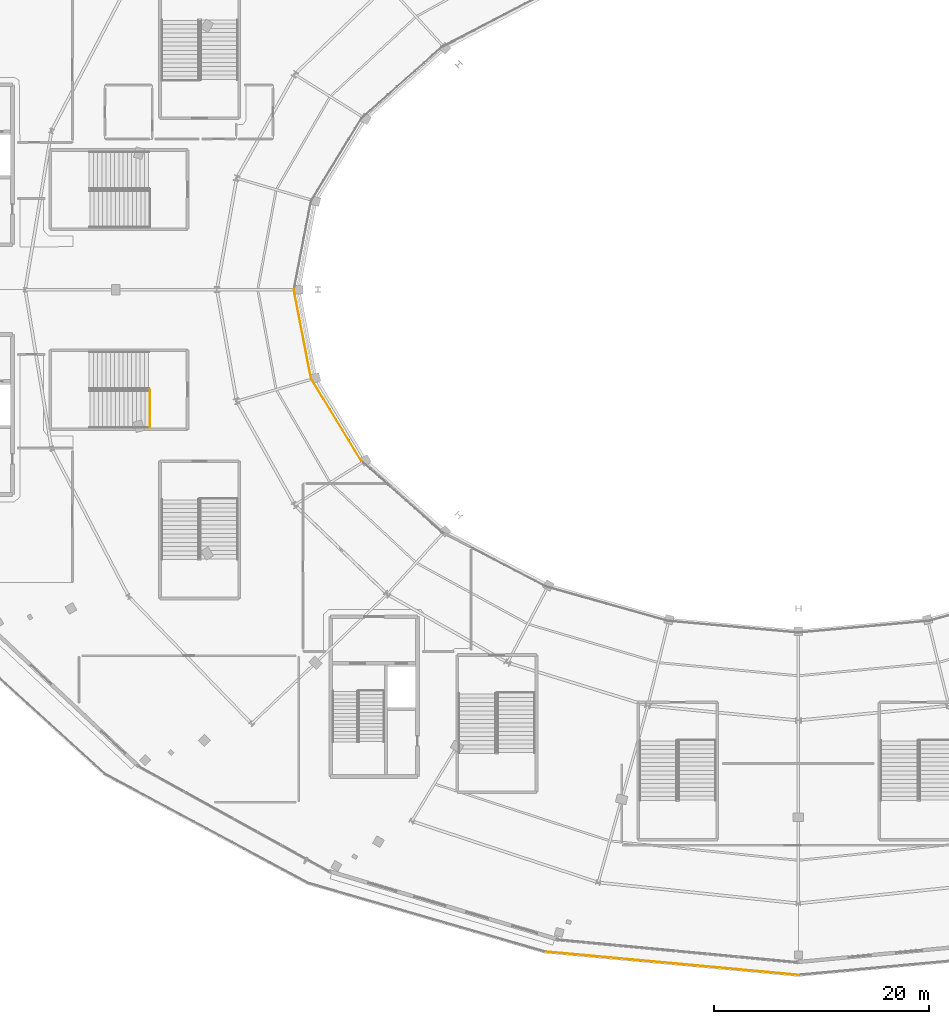
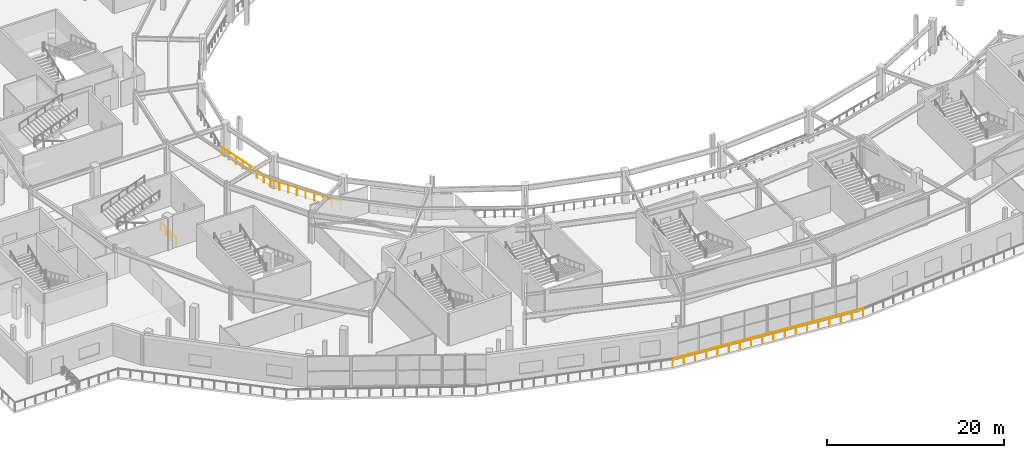
# One storey, part 91 of 107: 4 railings.
"""IFC4 building model written with IfcOpenShell, lengths in metres."""

from ifc_helpers import new_model, si_unit, direction, frame, origin, origin_2d, place, context, subcontext, project, spatial, circle, extrude, material, type_object, element, save


model = new_model("IFC4")

# Units and contexts
model_context = context("Model", 3, precision=1e-05, world=origin(), true_north=direction((0.0, 1.0)))
body_context = subcontext(model_context, "Body", "Model", "MODEL_VIEW")
ifc_project = project(units=[si_unit("LENGTHUNIT", "METRE"), si_unit("AREAUNIT", "SQUARE_METRE"), si_unit("VOLUMEUNIT", "CUBIC_METRE"), si_unit("PLANEANGLEUNIT", "RADIAN"), si_unit("MASSUNIT", "GRAM", prefix="KILO")], contexts=[model_context])

# Site, building, storey
site_placement = place(None, origin())
site = spatial("IfcSite", under=ifc_project, at=site_placement, CompositionType="ELEMENT")
building_placement = place(site_placement, origin())
building = spatial("IfcBuilding", under=site, at=building_placement, Name="Kalgoora Escarpment Arena", CompositionType="ELEMENT")
storey_placement = place(building_placement, frame((0.0, 0.0, 5.39990234375)))
storey = spatial("IfcBuildingStorey", under=building, at=storey_placement, Name="L01", CompositionType="ELEMENT", Elevation=5.39990234375)

# Railings
ifc_material_1 = material(Name="Galvanised & powdercoated tubular steel", Category="steel")
railing_type_1 = type_object("IfcRailingType", Name="RAL-GUARD-1120", PredefinedType="GUARDRAIL", material=ifc_material_1)
railing_1_placement = place(storey_placement, frame((32.18994140625, 51.2099609375, 0.0)))
element("IfcRailing", 1, at=railing_1_placement, inside=storey, type_object=railing_type_1, Name="ST18 L01 floor landing well guard", PredefinedType="GUARDRAIL", context=body_context, shape_type="SweptSolid", body=[
    extrude(circle(Radius=0.02392578125, at=origin_2d()), frame((0.0, 0.0, 1.09619140625), z_axis=(0.0, 1.0, 0.0), x_axis=(-1.0, 0.0, 0.0)), (0.0, 0.0, 1.0), 3.489990234375),
    extrude(circle(Radius=0.02099609375, at=origin_2d()), origin(), (0.0, 0.0, 1.0), 1.072021484375),
    extrude(circle(Radius=0.02099609375, at=origin_2d()), frame((0.0, 1.163330078125, 0.0)), (0.0, 0.0, 1.0), 1.072021484375),
    extrude(circle(Radius=0.02099609375, at=origin_2d()), frame((0.0, 2.32666015625, 0.0)), (0.0, 0.0, 1.0), 1.072021484375),
    extrude(circle(Radius=0.02099609375, at=origin_2d()), frame((0.0, 3.489990234375, 0.0)), (0.0, 0.0, 1.0), 1.072021484375),
])
railing_2_placement = place(storey_placement, frame((45.550048828125, 64.0, 0.0)))
element("IfcRailing", 2, at=railing_2_placement, inside=storey, type_object=railing_type_1, Name="L01 concourse bowl balustrade 13", PredefinedType="GUARDRAIL", context=body_context, shape_type="SweptSolid", body=[
    extrude(circle(Radius=0.02392578125, at=origin_2d()), frame((0.0, 0.0, 1.09619140625), z_axis=(0.190129490405, -0.981759021796, 0.0), x_axis=(0.981759021796, 0.190129490405, 0.0)), (0.0, 0.0, 1.0), 8.396484375),
    extrude(circle(Radius=0.02099609375, at=origin_2d()), origin(), (0.0, 0.0, 1.0), 1.072021484375),
    extrude(circle(Radius=0.02099609375, at=origin_2d()), frame((0.22802734375, -1.177734375, 0.0)), (0.0, 0.0, 1.0), 1.072021484375),
    extrude(circle(Radius=0.02099609375, at=origin_2d()), frame((0.4560546875, -2.355224609375, 0.0)), (0.0, 0.0, 1.0), 1.072021484375),
    extrude(circle(Radius=0.02099609375, at=origin_2d()), frame((0.68408203125, -3.532958984375, 0.0)), (0.0, 0.0, 1.0), 1.072021484375),
    extrude(circle(Radius=0.02099609375, at=origin_2d()), frame((0.912353515625, -4.71044921875, 0.0)), (0.0, 0.0, 1.0), 1.072021484375),
    extrude(circle(Radius=0.02099609375, at=origin_2d()), frame((1.140380859375, -5.88818359375, 0.0)), (0.0, 0.0, 1.0), 1.072021484375),
    extrude(circle(Radius=0.02099609375, at=origin_2d()), frame((1.368408203125, -7.065673828125, 0.0)), (0.0, 0.0, 1.0), 1.072021484375),
    extrude(circle(Radius=0.02099609375, at=origin_2d()), frame((1.596435546875, -8.243408203125, 0.0)), (0.0, 0.0, 1.0), 1.072021484375),
])
railing_3_placement = place(storey_placement, frame((47.146484375, 55.756591796875, 0.0)))
element("IfcRailing", 3, at=railing_3_placement, inside=storey, type_object=railing_type_1, Name="L01 concourse bowl balustrade 14", PredefinedType="GUARDRAIL", context=body_context, shape_type="SweptSolid", body=[
    extrude(circle(Radius=0.02392578125, at=origin_2d()), frame((0.0, 0.0, 1.09619140625), z_axis=(0.520303373026, -0.853981498639, 0.0), x_axis=(0.853981498639, 0.520303373026, 0.0)), (0.0, 0.0, 1.0), 8.9951171875),
    extrude(circle(Radius=0.02099609375, at=origin_2d()), origin(), (0.0, 0.0, 1.0), 1.072021484375),
    extrude(circle(Radius=0.02099609375, at=origin_2d()), frame((0.5849609375, -0.960205078125, 0.0)), (0.0, 0.0, 1.0), 1.072021484375),
    extrude(circle(Radius=0.02099609375, at=origin_2d()), frame((1.169921875, -1.92041015625, 0.0)), (0.0, 0.0, 1.0), 1.072021484375),
    extrude(circle(Radius=0.02099609375, at=origin_2d()), frame((1.755126953125, -2.880615234375, 0.0)), (0.0, 0.0, 1.0), 1.072021484375),
    extrude(circle(Radius=0.02099609375, at=origin_2d()), frame((2.340087890625, -3.8408203125, 0.0)), (0.0, 0.0, 1.0), 1.072021484375),
    extrude(circle(Radius=0.02099609375, at=origin_2d()), frame((2.925048828125, -4.801025390625, 0.0)), (0.0, 0.0, 1.0), 1.072021484375),
    extrude(circle(Radius=0.02099609375, at=origin_2d()), frame((3.51025390625, -5.76123046875, 0.0)), (0.0, 0.0, 1.0), 1.072021484375),
    extrude(circle(Radius=0.02099609375, at=origin_2d()), frame((4.09521484375, -6.721435546875, 0.0)), (0.0, 0.0, 1.0), 1.072021484375),
    extrude(circle(Radius=0.02099609375, at=origin_2d()), frame((4.68017578125, -7.681640625, 0.0)), (0.0, 0.0, 1.0), 1.072021484375),
])
ifc_material_2 = material(Name="Champagne anodised aluminium & laminated glass", Category="aluminium")
railing_type_2 = type_object("IfcRailingType", Name="RAL-TERR-1100", PredefinedType="GUARDRAIL", material=ifc_material_2)
railing_4_placement = place(storey_placement, frame((92.39990234375, 0.360595703125, 0.0)))
element("IfcRailing", 4, at=railing_4_placement, inside=storey, type_object=railing_type_2, Name="Lower Planted Elliptical Garden Promenade perimeter guardrail 010", PredefinedType="GUARDRAIL", context=body_context, shape_type="SweptSolid", body=[
    extrude(circle(Radius=0.02392578125, at=origin_2d()), frame((0.0, 0.0, 1.09619140625), z_axis=(-0.995785753165, 0.091710052847, 0.0), x_axis=(-0.091710052847, -0.995785753165, 0.0)), (0.0, 0.0, 1.0), 23.674072265625),
    extrude(circle(Radius=0.02099609375, at=origin_2d()), origin(), (0.0, 0.0, 1.0), 1.072021484375),
    extrude(circle(Radius=0.02099609375, at=origin_2d()), frame((-1.38671875, 0.127685546875, 0.0)), (0.0, 0.0, 1.0), 1.072021484375),
    extrude(circle(Radius=0.02099609375, at=origin_2d()), frame((-2.7734375, 0.25537109375, 0.0)), (0.0, 0.0, 1.0), 1.072021484375),
    extrude(circle(Radius=0.02099609375, at=origin_2d()), frame((-4.16015625, 0.383056640625, 0.0)), (0.0, 0.0, 1.0), 1.072021484375),
    extrude(circle(Radius=0.02099609375, at=origin_2d()), frame((-5.546875, 0.5107421875, 0.0)), (0.0, 0.0, 1.0), 1.072021484375),
    extrude(circle(Radius=0.02099609375, at=origin_2d()), frame((-6.93359375, 0.638671875, 0.0)), (0.0, 0.0, 1.0), 1.072021484375),
    extrude(circle(Radius=0.02099609375, at=origin_2d()), frame((-8.3203125, 0.766357421875, 0.0)), (0.0, 0.0, 1.0), 1.072021484375),
    extrude(circle(Radius=0.02099609375, at=origin_2d()), frame((-9.70703125, 0.89404296875, 0.0)), (0.0, 0.0, 1.0), 1.072021484375),
    extrude(circle(Radius=0.02099609375, at=origin_2d()), frame((-11.09375, 1.021728515625, 0.0)), (0.0, 0.0, 1.0), 1.072021484375),
    extrude(circle(Radius=0.02099609375, at=origin_2d()), frame((-12.48046875, 1.1494140625, 0.0)), (0.0, 0.0, 1.0), 1.072021484375),
    extrude(circle(Radius=0.02099609375, at=origin_2d()), frame((-13.8671875, 1.277099609375, 0.0)), (0.0, 0.0, 1.0), 1.072021484375),
    extrude(circle(Radius=0.02099609375, at=origin_2d()), frame((-15.25390625, 1.40478515625, 0.0)), (0.0, 0.0, 1.0), 1.072021484375),
    extrude(circle(Radius=0.02099609375, at=origin_2d()), frame((-16.640625, 1.532470703125, 0.0)), (0.0, 0.0, 1.0), 1.072021484375),
    extrude(circle(Radius=0.02099609375, at=origin_2d()), frame((-18.02734375, 1.660400390625, 0.0)), (0.0, 0.0, 1.0), 1.072021484375),
    extrude(circle(Radius=0.02099609375, at=origin_2d()), frame((-19.4140625, 1.7880859375, 0.0)), (0.0, 0.0, 1.0), 1.072021484375),
    extrude(circle(Radius=0.02099609375, at=origin_2d()), frame((-20.80078125, 1.915771484375, 0.0)), (0.0, 0.0, 1.0), 1.072021484375),
    extrude(circle(Radius=0.02099609375, at=origin_2d()), frame((-22.1875, 2.04345703125, 0.0)), (0.0, 0.0, 1.0), 1.072021484375),
    extrude(circle(Radius=0.02099609375, at=origin_2d()), frame((-23.57421875, 2.171142578125, 0.0)), (0.0, 0.0, 1.0), 1.072021484375),
])

save(model, "model.ifc")
